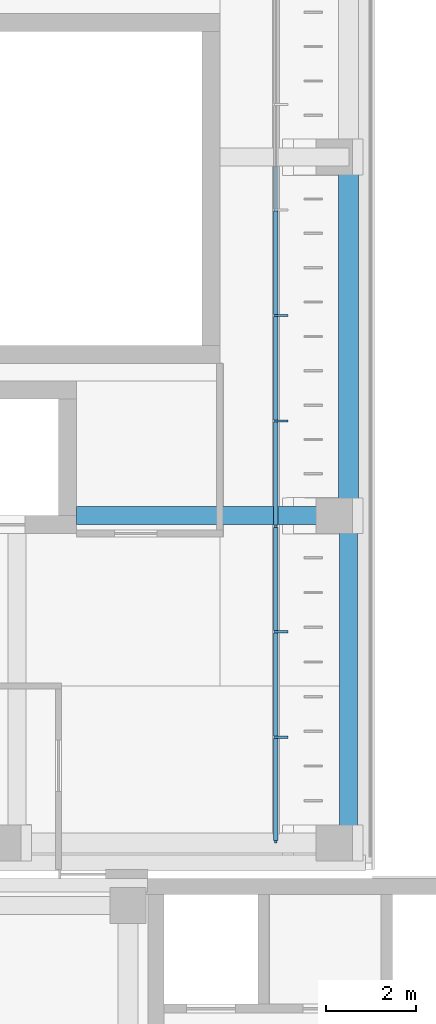
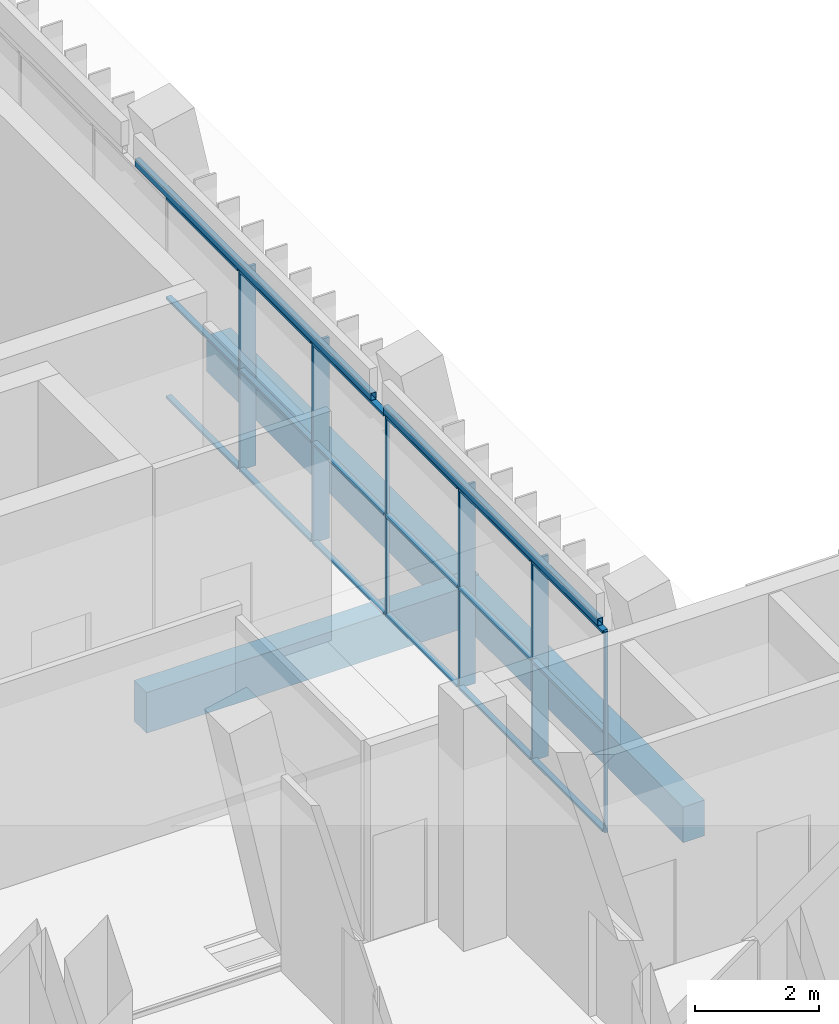
# One storey, part 24 of 89: 24 members, 5 beams, 1 element without a shape of its own.
"""IFC4 building model written with IfcOpenShell, lengths in metres."""

from ifc_helpers import new_model, si_unit, direction, frame, origin, origin_2d, place, context, subcontext, project, spatial, rectangle, hollow_rectangle, extrude, material, material_profile, profile_set, type_object, element, aggregate, save


model = new_model("IFC4")

# Units and contexts
model_context = context("Model", 3, precision=1e-05, world=origin(), true_north=direction((0.0, 1.0)))
body_context = subcontext(model_context, "Body", "Model", "MODEL_VIEW")
ifc_project = project(units=[si_unit("LENGTHUNIT", "METRE"), si_unit("AREAUNIT", "SQUARE_METRE"), si_unit("VOLUMEUNIT", "CUBIC_METRE"), si_unit("PLANEANGLEUNIT", "RADIAN"), si_unit("MASSUNIT", "GRAM", prefix="KILO")], contexts=[model_context])

# Site, building, storey
site_placement = place(None, origin())
site = spatial("IfcSite", under=ifc_project, at=site_placement, CompositionType="ELEMENT")
building_placement = place(site_placement, origin())
building = spatial("IfcBuilding", under=site, at=building_placement, Name="Lantern Court Media Centre", CompositionType="ELEMENT")
storey_placement = place(building_placement, frame((0.0, 0.0, 14.39990234375)))
storey = spatial("IfcBuildingStorey", under=building, at=storey_placement, Name="L03", CompositionType="ELEMENT", Elevation=14.39990234375)

# Curtain wall, members
ifc_material_1 = material(Name="Curtain wall bay 2400")
curtain_wall_type = type_object("IfcCurtainWallType", Name="Curtain wall bay 2400", PredefinedType="NOTDEFINED", material=ifc_material_1)
curtain_wall_placement = place(storey_placement, origin())
curtain_wall = element("IfcCurtainWall", 1, at=curtain_wall_placement, inside=storey, type_object=curtain_wall_type, Name="Curtain wall W inner L03", PredefinedType="NOTDEFINED")
ifc_material_2 = material(Name="Anodised aluminium", Category="aluminium")
ifc_material_profile_1 = material_profile(ifc_material_2, rectangle(XDim=0.300048828125, YDim=0.050048828125, at=origin_2d()), Name="AL 50x300")
ifc_profile_set_1 = profile_set([ifc_material_profile_1], Name="Anodised aluminium")
member_type_1 = type_object("IfcMemberType", Name="Curtain wall mullion 50x300", PredefinedType="MULLION", material=ifc_profile_set_1)
member_1_placement = place(storey_placement, frame((18.969970703125, 67.053955078125, 0.0), z_axis=(0.0, 0.0, 1.0), x_axis=(-1.0, 0.0, 0.0)))
member_1 = element("IfcMember", 2, at=member_1_placement, type_object=member_type_1, Name="CW2 mullion 2", PredefinedType="MULLION", context=body_context, shape_type="SweptSolid", body=[
    extrude(rectangle(XDim=0.300048828125, YDim=0.050048828125, at=origin_2d()), origin(), (0.0, 0.0, 1.0), 3.9501953125),
])
member_2_placement = place(storey_placement, frame((18.969970703125, 69.40771484375, 0.0), z_axis=(0.0, 0.0, 1.0), x_axis=(-1.0, 0.0, 0.0)))
member_2 = element("IfcMember", 3, at=member_2_placement, type_object=member_type_1, Name="CW2 mullion 3", PredefinedType="MULLION", context=body_context, shape_type="SweptSolid", body=[
    extrude(rectangle(XDim=0.300048828125, YDim=0.050048828125, at=origin_2d()), origin(), (0.0, 0.0, 1.0), 3.9501953125),
])
member_3_placement = place(storey_placement, frame((18.969970703125, 74.115478515625, 0.0), z_axis=(0.0, 0.0, 1.0), x_axis=(-1.0, 0.0, 0.0)))
member_3 = element("IfcMember", 4, at=member_3_placement, type_object=member_type_1, Name="CW2 mullion 5", PredefinedType="MULLION", context=body_context, shape_type="SweptSolid", body=[
    extrude(rectangle(XDim=0.300048828125, YDim=0.050048828125, at=origin_2d()), origin(), (0.0, 0.0, 1.0), 3.9501953125),
])
member_4_placement = place(storey_placement, frame((18.969970703125, 76.46923828125, 0.0), z_axis=(0.0, 0.0, 1.0), x_axis=(-1.0, 0.0, 0.0)))
member_4 = element("IfcMember", 5, at=member_4_placement, type_object=member_type_1, Name="CW2 mullion 6", PredefinedType="MULLION", context=body_context, shape_type="SweptSolid", body=[
    extrude(rectangle(XDim=0.300048828125, YDim=0.050048828125, at=origin_2d()), origin(), (0.0, 0.0, 1.0), 3.9501953125),
])
ifc_material_profile_2 = material_profile(ifc_material_2, rectangle(XDim=0.06005859375, YDim=0.050048828125, at=origin_2d()), Name="AL 50x60")
ifc_profile_set_2 = profile_set([ifc_material_profile_2], Name="Anodised aluminium")
member_type_2 = type_object("IfcMemberType", Name="Curtain wall mullion 50x60", PredefinedType="MULLION", material=ifc_profile_set_2)
member_5_placement = place(storey_placement, frame((18.85009765625, 64.72509765625, 0.0), z_axis=(0.0, 0.0, 1.0), x_axis=(-1.0, 0.0, 0.0)))
member_5 = element("IfcMember", 6, at=member_5_placement, type_object=member_type_2, Name="CW2 mullion 1", PredefinedType="MULLION", context=body_context, shape_type="SweptSolid", body=[
    extrude(rectangle(XDim=0.06005859375, YDim=0.050048828125, at=origin_2d()), origin(), (0.0, 0.0, 1.0), 3.9501953125),
])
member_6_placement = place(storey_placement, frame((18.85009765625, 71.761474609375, 0.0), z_axis=(0.0, 0.0, 1.0), x_axis=(-1.0, 0.0, 0.0)))
member_6 = element("IfcMember", 7, at=member_6_placement, type_object=member_type_2, Name="CW2 mullion 4", PredefinedType="MULLION", context=body_context, shape_type="SweptSolid", body=[
    extrude(rectangle(XDim=0.06005859375, YDim=0.050048828125, at=origin_2d()), origin(), (0.0, 0.0, 1.0), 3.9501953125),
])
ifc_material_profile_3 = material_profile(ifc_material_2, rectangle(XDim=0.10009765625, YDim=0.050048828125, at=origin_2d()), Name="AL 50x100")
ifc_profile_set_3 = profile_set([ifc_material_profile_3], Name="Anodised aluminium")
member_type_3 = type_object("IfcMemberType", Name="Curtain wall transom 100x50", PredefinedType="USERDEFINED", material=ifc_profile_set_3)
member_7_placement = place(storey_placement, frame((18.85009765625, 64.75, 0.025146484375), z_axis=(0.0, 1.0, 0.0), x_axis=(-1.0, 0.0, 0.0)))
member_7 = element("IfcMember", 8, at=member_7_placement, type_object=member_type_3, Name="CW2 transom 1.1", ObjectType="TRANSOM", PredefinedType="USERDEFINED", context=body_context, shape_type="SweptSolid", body=[
    extrude(rectangle(XDim=0.10009765625, YDim=0.050048828125, at=origin_2d()), origin(), (0.0, 0.0, 1.0), 2.27880859375),
])
member_8_placement = place(storey_placement, frame((18.85009765625, 64.75, 1.97509765625), z_axis=(0.0, 1.0, 0.0), x_axis=(-1.0, 0.0, 0.0)))
member_8 = element("IfcMember", 9, at=member_8_placement, type_object=member_type_3, Name="CW2 transom 1.2", ObjectType="TRANSOM", PredefinedType="USERDEFINED", context=body_context, shape_type="SweptSolid", body=[
    extrude(rectangle(XDim=0.10009765625, YDim=0.050048828125, at=origin_2d()), origin(), (0.0, 0.0, 1.0), 2.27880859375),
])
member_9_placement = place(storey_placement, frame((18.85009765625, 64.75, 3.925048828125), z_axis=(0.0, 1.0, 0.0), x_axis=(-1.0, 0.0, 0.0)))
member_9 = element("IfcMember", 10, at=member_9_placement, type_object=member_type_3, Name="CW2 transom 1.3", ObjectType="TRANSOM", PredefinedType="USERDEFINED", context=body_context, shape_type="SweptSolid", body=[
    extrude(rectangle(XDim=0.10009765625, YDim=0.050048828125, at=origin_2d()), origin(), (0.0, 0.0, 1.0), 2.27880859375),
])
member_10_placement = place(storey_placement, frame((18.85009765625, 67.078857421875, 0.025146484375), z_axis=(0.0, 1.0, 0.0), x_axis=(-1.0, 0.0, 0.0)))
member_10 = element("IfcMember", 11, at=member_10_placement, type_object=member_type_3, Name="CW2 transom 2.1", ObjectType="TRANSOM", PredefinedType="USERDEFINED", context=body_context, shape_type="SweptSolid", body=[
    extrude(rectangle(XDim=0.10009765625, YDim=0.050048828125, at=origin_2d()), origin(), (0.0, 0.0, 1.0), 2.303955078125),
])
member_11_placement = place(storey_placement, frame((18.85009765625, 67.078857421875, 1.97509765625), z_axis=(0.0, 1.0, 0.0), x_axis=(-1.0, 0.0, 0.0)))
member_11 = element("IfcMember", 12, at=member_11_placement, type_object=member_type_3, Name="CW2 transom 2.2", ObjectType="TRANSOM", PredefinedType="USERDEFINED", context=body_context, shape_type="SweptSolid", body=[
    extrude(rectangle(XDim=0.10009765625, YDim=0.050048828125, at=origin_2d()), origin(), (0.0, 0.0, 1.0), 2.303955078125),
])
member_12_placement = place(storey_placement, frame((18.85009765625, 67.078857421875, 3.925048828125), z_axis=(0.0, 1.0, 0.0), x_axis=(-1.0, 0.0, 0.0)))
member_12 = element("IfcMember", 13, at=member_12_placement, type_object=member_type_3, Name="CW2 transom 2.3", ObjectType="TRANSOM", PredefinedType="USERDEFINED", context=body_context, shape_type="SweptSolid", body=[
    extrude(rectangle(XDim=0.10009765625, YDim=0.050048828125, at=origin_2d()), origin(), (0.0, 0.0, 1.0), 2.303955078125),
])
member_13_placement = place(storey_placement, frame((18.85009765625, 69.4326171875, 0.025146484375), z_axis=(0.0, 1.0, 0.0), x_axis=(-1.0, 0.0, 0.0)))
member_13 = element("IfcMember", 14, at=member_13_placement, type_object=member_type_3, Name="CW2 transom 3.1", ObjectType="TRANSOM", PredefinedType="USERDEFINED", context=body_context, shape_type="SweptSolid", body=[
    extrude(rectangle(XDim=0.10009765625, YDim=0.050048828125, at=origin_2d()), origin(), (0.0, 0.0, 1.0), 2.303955078125),
])
member_14_placement = place(storey_placement, frame((18.85009765625, 69.4326171875, 1.97509765625), z_axis=(0.0, 1.0, 0.0), x_axis=(-1.0, 0.0, 0.0)))
member_14 = element("IfcMember", 15, at=member_14_placement, type_object=member_type_3, Name="CW2 transom 3.2", ObjectType="TRANSOM", PredefinedType="USERDEFINED", context=body_context, shape_type="SweptSolid", body=[
    extrude(rectangle(XDim=0.10009765625, YDim=0.050048828125, at=origin_2d()), origin(), (0.0, 0.0, 1.0), 2.303955078125),
])
member_15_placement = place(storey_placement, frame((18.85009765625, 69.4326171875, 3.925048828125), z_axis=(0.0, 1.0, 0.0), x_axis=(-1.0, 0.0, 0.0)))
member_15 = element("IfcMember", 16, at=member_15_placement, type_object=member_type_3, Name="CW2 transom 3.3", ObjectType="TRANSOM", PredefinedType="USERDEFINED", context=body_context, shape_type="SweptSolid", body=[
    extrude(rectangle(XDim=0.10009765625, YDim=0.050048828125, at=origin_2d()), origin(), (0.0, 0.0, 1.0), 2.303955078125),
])
member_16_placement = place(storey_placement, frame((18.85009765625, 71.78662109375, 0.025146484375), z_axis=(0.0, 1.0, 0.0), x_axis=(-1.0, 0.0, 0.0)))
member_16 = element("IfcMember", 17, at=member_16_placement, type_object=member_type_3, Name="CW2 transom 4.1", ObjectType="TRANSOM", PredefinedType="USERDEFINED", context=body_context, shape_type="SweptSolid", body=[
    extrude(rectangle(XDim=0.10009765625, YDim=0.050048828125, at=origin_2d()), origin(), (0.0, 0.0, 1.0), 2.3037109375),
])
member_17_placement = place(storey_placement, frame((18.85009765625, 71.78662109375, 1.97509765625), z_axis=(0.0, 1.0, 0.0), x_axis=(-1.0, 0.0, 0.0)))
member_17 = element("IfcMember", 18, at=member_17_placement, type_object=member_type_3, Name="CW2 transom 4.2", ObjectType="TRANSOM", PredefinedType="USERDEFINED", context=body_context, shape_type="SweptSolid", body=[
    extrude(rectangle(XDim=0.10009765625, YDim=0.050048828125, at=origin_2d()), origin(), (0.0, 0.0, 1.0), 2.3037109375),
])
member_18_placement = place(storey_placement, frame((18.85009765625, 71.78662109375, 3.925048828125), z_axis=(0.0, 1.0, 0.0), x_axis=(-1.0, 0.0, 0.0)))
member_18 = element("IfcMember", 19, at=member_18_placement, type_object=member_type_3, Name="CW2 transom 4.3", ObjectType="TRANSOM", PredefinedType="USERDEFINED", context=body_context, shape_type="SweptSolid", body=[
    extrude(rectangle(XDim=0.10009765625, YDim=0.050048828125, at=origin_2d()), origin(), (0.0, 0.0, 1.0), 2.3037109375),
])
member_19_placement = place(storey_placement, frame((18.85009765625, 74.140380859375, 0.025146484375), z_axis=(0.0, 1.0, 0.0), x_axis=(-1.0, 0.0, 0.0)))
member_19 = element("IfcMember", 20, at=member_19_placement, type_object=member_type_3, Name="CW2 transom 5.1", ObjectType="TRANSOM", PredefinedType="USERDEFINED", context=body_context, shape_type="SweptSolid", body=[
    extrude(rectangle(XDim=0.10009765625, YDim=0.050048828125, at=origin_2d()), origin(), (0.0, 0.0, 1.0), 2.303955078125),
])
member_20_placement = place(storey_placement, frame((18.85009765625, 74.140380859375, 1.97509765625), z_axis=(0.0, 1.0, 0.0), x_axis=(-1.0, 0.0, 0.0)))
member_20 = element("IfcMember", 21, at=member_20_placement, type_object=member_type_3, Name="CW2 transom 5.2", ObjectType="TRANSOM", PredefinedType="USERDEFINED", context=body_context, shape_type="SweptSolid", body=[
    extrude(rectangle(XDim=0.10009765625, YDim=0.050048828125, at=origin_2d()), origin(), (0.0, 0.0, 1.0), 2.303955078125),
])
member_21_placement = place(storey_placement, frame((18.85009765625, 74.140380859375, 3.925048828125), z_axis=(0.0, 1.0, 0.0), x_axis=(-1.0, 0.0, 0.0)))
member_21 = element("IfcMember", 22, at=member_21_placement, type_object=member_type_3, Name="CW2 transom 5.3", ObjectType="TRANSOM", PredefinedType="USERDEFINED", context=body_context, shape_type="SweptSolid", body=[
    extrude(rectangle(XDim=0.10009765625, YDim=0.050048828125, at=origin_2d()), origin(), (0.0, 0.0, 1.0), 2.303955078125),
])
member_22_placement = place(storey_placement, frame((18.85009765625, 76.494140625, 0.025146484375), z_axis=(0.0, 1.0, 0.0), x_axis=(-1.0, 0.0, 0.0)))
member_22 = element("IfcMember", 23, at=member_22_placement, type_object=member_type_3, Name="CW2 transom 6.1", ObjectType="TRANSOM", PredefinedType="USERDEFINED", context=body_context, shape_type="SweptSolid", body=[
    extrude(rectangle(XDim=0.10009765625, YDim=0.050048828125, at=origin_2d()), origin(), (0.0, 0.0, 1.0), 2.303955078125),
])
member_23_placement = place(storey_placement, frame((18.85009765625, 76.494140625, 1.97509765625), z_axis=(0.0, 1.0, 0.0), x_axis=(-1.0, 0.0, 0.0)))
member_23 = element("IfcMember", 24, at=member_23_placement, type_object=member_type_3, Name="CW2 transom 6.2", ObjectType="TRANSOM", PredefinedType="USERDEFINED", context=body_context, shape_type="SweptSolid", body=[
    extrude(rectangle(XDim=0.10009765625, YDim=0.050048828125, at=origin_2d()), origin(), (0.0, 0.0, 1.0), 2.303955078125),
])
member_24_placement = place(storey_placement, frame((18.85009765625, 76.494140625, 3.925048828125), z_axis=(0.0, 1.0, 0.0), x_axis=(-1.0, 0.0, 0.0)))
member_24 = element("IfcMember", 25, at=member_24_placement, type_object=member_type_3, Name="CW2 transom 6.3", ObjectType="TRANSOM", PredefinedType="USERDEFINED", context=body_context, shape_type="SweptSolid", body=[
    extrude(rectangle(XDim=0.10009765625, YDim=0.050048828125, at=origin_2d()), origin(), (0.0, 0.0, 1.0), 2.303955078125),
])
aggregate(curtain_wall, [member_5, member_1, member_2, member_6, member_3, member_4, member_7, member_8, member_9, member_10, member_11, member_12, member_13, member_14, member_15, member_16, member_17, member_18, member_19, member_20, member_21, member_22, member_23, member_24])

# Beams
ifc_material_3 = material(Name="Steel S355J2 (EN 10025-2)", Category="steel")
ifc_material_profile_4 = material_profile(ifc_material_3, hollow_rectangle(XDim=0.10009765625, YDim=0.14990234375, WallThickness=0.00634765625, InnerFilletRadius=0.00634765625, OuterFilletRadius=0.009521484375, at=origin_2d()), Name="Facade head lintel RHS 150x100x6.3")
ifc_profile_set_4 = profile_set([ifc_material_profile_4], Name="Steel S355J2 (EN 10025-2)")
beam_type_1 = type_object("IfcBeamType", Name="Facade head lintel RHS 150x100x6.3", PredefinedType="BEAM", material=ifc_profile_set_4)
beam_1_placement = place(storey_placement, frame((18.85009765625, 64.89990234375, 4.025146484375), z_axis=(0.0, 1.0, 0.0), x_axis=(-1.0, 0.0, 0.0)))
element("IfcBeam", 26, at=beam_1_placement, inside=storey, type_object=beam_type_1, Name="Facade head lintel W L03", PredefinedType="BEAM", context=body_context, shape_type="SweptSolid", body=[
    extrude(hollow_rectangle(XDim=0.10009765625, YDim=0.14990234375, WallThickness=0.00634765625, InnerFilletRadius=0.00634765625, OuterFilletRadius=0.009521484375, at=origin_2d()), origin(), (0.0, 0.0, 1.0), 6.900146484375),
])
beam_2_placement = place(storey_placement, frame((18.85009765625, 72.199951171875, 4.025146484375), z_axis=(0.0, 1.0, 0.0), x_axis=(-1.0, 0.0, 0.0)))
element("IfcBeam", 27, at=beam_2_placement, inside=storey, type_object=beam_type_1, Name="Facade head lintel W L03", PredefinedType="BEAM", context=body_context, shape_type="SweptSolid", body=[
    extrude(hollow_rectangle(XDim=0.10009765625, YDim=0.14990234375, WallThickness=0.00634765625, InnerFilletRadius=0.00634765625, OuterFilletRadius=0.009521484375, at=origin_2d()), origin(), (0.0, 0.0, 1.0), 7.60009765625),
])
ifc_material_4 = material(Name="Concrete C35", Category="concrete")
ifc_material_profile_5 = material_profile(ifc_material_4, rectangle(XDim=0.39990234375, YDim=0.699951171875, at=origin_2d()), Name="RC 400x700")
ifc_profile_set_5 = profile_set([ifc_material_profile_5], Name="Concrete C35")
beam_type_2 = type_object("IfcBeamType", Name="RC BEAM 400x700", PredefinedType="BEAM", material=ifc_profile_set_5)
beam_3_placement = place(storey_placement, frame((20.472900390625, 64.699951171875, -0.349853515625), z_axis=(0.0, 1.0, 0.0), x_axis=(-1.0, 0.0, 0.0)))
element("IfcBeam", 28, at=beam_3_placement, inside=storey, type_object=beam_type_2, Name="LB-W-L03-2-0", PredefinedType="BEAM", context=body_context, shape_type="SweptSolid", body=[
    extrude(rectangle(XDim=0.39990234375, YDim=0.699951171875, at=origin_2d()), origin(), (0.0, 0.0, 1.0), 7.300048828125),
])
ifc_material_profile_6 = material_profile(ifc_material_4, rectangle(XDim=0.39990234375, YDim=0.800048828125, at=origin_2d()), Name="RC 400x800")
ifc_profile_set_6 = profile_set([ifc_material_profile_6], Name="Concrete C35")
beam_type_3 = type_object("IfcBeamType", Name="RC BEAM 400x800", PredefinedType="BEAM", material=ifc_profile_set_6)
beam_4_placement = place(storey_placement, frame((14.39990234375, 72.0, -0.39990234375), z_axis=(1.0, 0.0, 0.0), x_axis=(0.0, 1.0, 0.0)))
element("IfcBeam", 29, at=beam_4_placement, inside=storey, type_object=beam_type_3, Name="TB-W-L03-1-11", PredefinedType="BEAM", context=body_context, shape_type="SweptSolid", body=[
    extrude(rectangle(XDim=0.39990234375, YDim=0.800048828125, at=origin_2d()), origin(), (0.0, 0.0, 1.0), 6.08349609375),
])
ifc_material_profile_7 = material_profile(ifc_material_4, rectangle(XDim=0.449951171875, YDim=0.699951171875, at=origin_2d()), Name="RC 450x700")
ifc_profile_set_7 = profile_set([ifc_material_profile_7], Name="Concrete C35")
beam_type_4 = type_object("IfcBeamType", Name="RC BEAM 450x700", PredefinedType="BEAM", material=ifc_profile_set_7)
beam_5_placement = place(storey_placement, frame((20.472900390625, 72.0, -0.349853515625), z_axis=(0.0, 1.0, 0.0), x_axis=(-1.0, 0.0, 0.0)))
element("IfcBeam", 30, at=beam_5_placement, inside=storey, type_object=beam_type_4, Name="LB-W-L03-2-1", PredefinedType="BEAM", context=body_context, shape_type="SweptSolid", body=[
    extrude(rectangle(XDim=0.449951171875, YDim=0.699951171875, at=origin_2d()), origin(), (0.0, 0.0, 1.0), 8.0),
])

save(model, "model.ifc")
